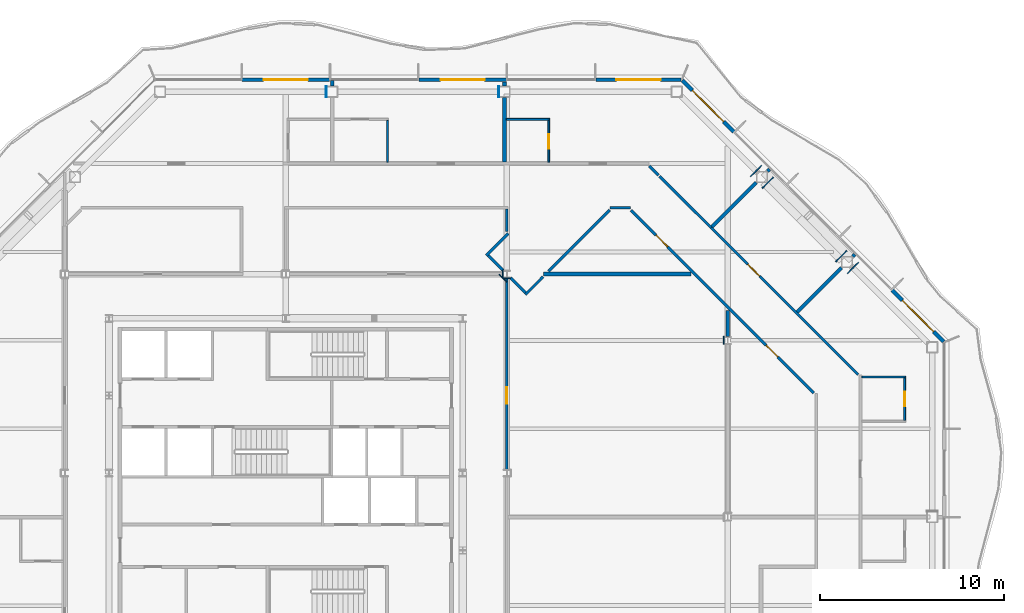
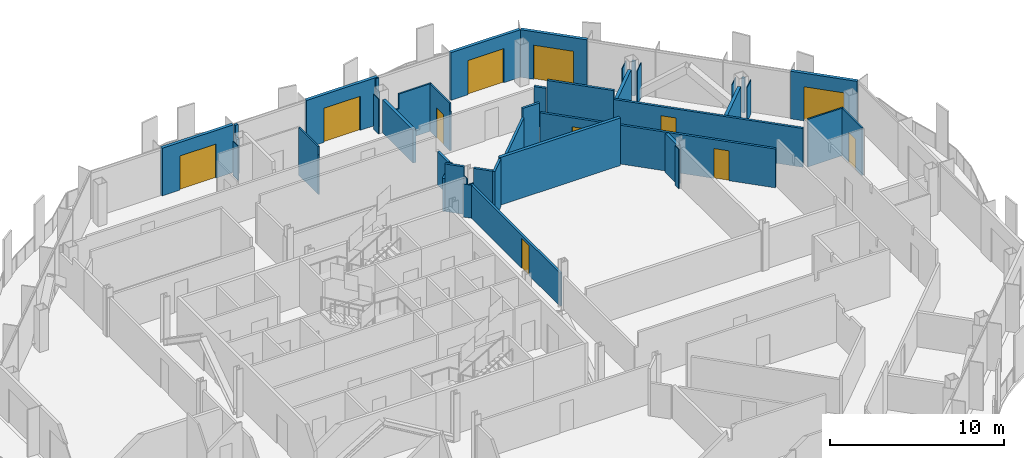
# One storey, part 12 of 19: 41 walls, 11 doors, 11 openings.
"""IFC4 building model written with IfcOpenShell, lengths in metres."""

from ifc_helpers import new_model, si_unit, direction, frame, frame_2d, origin, place, context, subcontext, project, spatial, polyline, rectangle, outline, extrude, material, layer, layer_set, type_object, element, fill, save


model = new_model("IFC4")

# Units and contexts
model_context = context("Model", 3, precision=1e-05, world=origin(), true_north=direction((0.0, 1.0)))
body_context = subcontext(model_context, "Body", "Model", "MODEL_VIEW")
ifc_project = project(units=[si_unit("LENGTHUNIT", "METRE"), si_unit("AREAUNIT", "SQUARE_METRE"), si_unit("VOLUMEUNIT", "CUBIC_METRE"), si_unit("PLANEANGLEUNIT", "RADIAN"), si_unit("MASSUNIT", "GRAM", prefix="KILO")], contexts=[model_context])

# Site, building, storey
site_placement = place(None, origin())
site = spatial("IfcSite", under=ifc_project, at=site_placement, CompositionType="ELEMENT")
building_placement = place(site_placement, origin())
building = spatial("IfcBuilding", under=site, at=building_placement, Name="Cairn Pilgrim Tower", CompositionType="ELEMENT")
storey_placement = place(building_placement, frame((0.0, 0.0, 201.0)))
storey = spatial("IfcBuildingStorey", under=building, at=storey_placement, Name="L51", CompositionType="ELEMENT", Elevation=201.0)

# Wall, opening, door
ifc_material_1 = material(Name="Bronze anodised aluminium insulated sandwich panel with mineral wool fill", Category="aluminium")
ifc_layer_1 = layer(ifc_material_1, 0.199951171875)
ifc_layer_set_1 = layer_set([ifc_layer_1], Name="BRONZE INFILL FRAME WALL 200")
wall_type_1 = type_object("IfcWallType", Name="BRONZE INFILL FRAME WALL 200", PredefinedType="NOTDEFINED", material=ifc_layer_set_1)
wall_1_placement = place(storey_placement, frame((42.921630859375, 9.524658203125, 0.0), z_axis=(0.0, 0.0, 1.0), x_axis=(-0.707075965734, 0.707137595296, 0.0)))
wall_1 = element("IfcWall", 1, at=wall_1_placement, inside=storey, type_object=wall_type_1, Name="Bronze infill frame wall IW-NE1", PredefinedType="NOTDEFINED", context=body_context, shape_type="SweptSolid", body=[
    extrude(rectangle(XDim=3.96142578125, YDim=0.199951171875, at=frame_2d((1.980712890625, 0.0))), origin(), (0.0, 0.0, 1.0), 3.35009765625),
])
opening_1_placement = place(wall_1_placement, frame((0.775390625, 0.0, 0.0)))
opening_1 = element("IfcOpeningElement", 2, at=opening_1_placement, cuts=wall_1, Name="Opening 5105B2", PredefinedType="OPENING", context=body_context, shape_type="SweptSolid", body=[
    extrude(rectangle(XDim=2.39990234375, YDim=2.39990234375, at=frame_2d((1.199951171875, 1.199951171875))), frame((0.0, 0.10986328125, 0.0), z_axis=(0.0, -1.0, 0.0), x_axis=(1.0, 0.0, 0.0)), (0.0, 0.0, 1.0), 0.219970703125),
])
ifc_material_2 = material(Name="Bronze anodised aluminium frame with tinted low-E glass", Category="aluminium")
door_type_1 = type_object("IfcDoorType", Name="BALCONY SLIDING DOOR 2400x2400", OperationType="DOUBLE_DOOR_SLIDING", PredefinedType="DOOR", material=ifc_material_2)
door_1_placement = place(opening_1_placement, origin())
door_1 = element("IfcDoor", 3, at=door_1_placement, inside=storey, type_object=door_type_1, Name="Balcony sliding door 5105B2", OperationType="SINGLE_SWING_LEFT", OverallHeight=2.39990234375, OverallWidth=2.39990234375, PredefinedType="DOOR", context=body_context, shape_type="SweptSolid", body=[
    extrude(rectangle(XDim=2.39990234375, YDim=2.39990234375, at=frame_2d((1.199951171875, 1.199951171875))), frame((0.0, 0.02490234375, 0.0), z_axis=(0.0, -1.0, 0.0), x_axis=(1.0, 0.0, 0.0)), (0.0, 0.0, 1.0), 0.050048828125),
])
fill(opening_1, door_1)

wall_2_placement = place(storey_placement, frame((31.52587890625, 20.92041015625, 0.0), z_axis=(0.0, 0.0, 1.0), x_axis=(-0.707106781187, 0.707106781187, 0.0)))
wall_2 = element("IfcWall", 4, at=wall_2_placement, inside=storey, type_object=wall_type_1, Name="Bronze infill frame wall IW-NE5", PredefinedType="NOTDEFINED", context=body_context, shape_type="SweptSolid", body=[
    extrude(rectangle(XDim=3.961669921875, YDim=0.199951171875, at=frame_2d((1.98095703125, 0.0))), origin(), (0.0, 0.0, 1.0), 3.35009765625),
])
opening_2_placement = place(wall_2_placement, frame((0.78564453125, 0.0, 0.0)))
opening_2 = element("IfcOpeningElement", 5, at=opening_2_placement, cuts=wall_2, Name="Opening 5107B", PredefinedType="OPENING", context=body_context, shape_type="SweptSolid", body=[
    extrude(rectangle(XDim=2.39990234375, YDim=2.39990234375, at=frame_2d((1.199951171875, 1.199951171875))), frame((0.0, 0.10986328125, 0.0), z_axis=(0.0, -1.0, 0.0), x_axis=(1.0, 0.0, 0.0)), (0.0, 0.0, 1.0), 0.219970703125),
])
door_2_placement = place(opening_2_placement, origin())
door_2 = element("IfcDoor", 6, at=door_2_placement, inside=storey, type_object=door_type_1, Name="Balcony sliding door 5107B", OperationType="SINGLE_SWING_LEFT", OverallHeight=2.39990234375, OverallWidth=2.39990234375, PredefinedType="DOOR", context=body_context, shape_type="SweptSolid", body=[
    extrude(rectangle(XDim=2.39990234375, YDim=2.39990234375, at=frame_2d((1.199951171875, 1.199951171875))), frame((0.0, 0.02490234375, 0.0), z_axis=(0.0, -1.0, 0.0), x_axis=(1.0, 0.0, 0.0)), (0.0, 0.0, 1.0), 0.050048828125),
])
fill(opening_2, door_2)

wall_3_placement = place(storey_placement, frame((28.656494140625, 23.75, 0.0), z_axis=(0.0, 0.0, 1.0), x_axis=(-1.0, 0.0, 0.0)))
wall_3 = element("IfcWall", 7, at=wall_3_placement, inside=storey, type_object=wall_type_1, Name="Bronze infill frame wall IW-N1", PredefinedType="NOTDEFINED", context=body_context, shape_type="SweptSolid", body=[
    extrude(rectangle(XDim=4.62646484375, YDim=0.199951171875, at=frame_2d((2.313232421875, 0.0))), origin(), (0.0, 0.0, 1.0), 3.35009765625),
])
opening_3_placement = place(wall_3_placement, frame((1.1083984375, 0.0, 0.0)))
opening_3 = element("IfcOpeningElement", 8, at=opening_3_placement, cuts=wall_3, Name="Opening 5107B2", PredefinedType="OPENING", context=body_context, shape_type="SweptSolid", body=[
    extrude(rectangle(XDim=2.39990234375, YDim=2.39990234375, at=frame_2d((1.199951171875, 1.199951171875))), frame((0.0, 0.10986328125, 0.0), z_axis=(0.0, -1.0, 0.0), x_axis=(1.0, 0.0, 0.0)), (0.0, 0.0, 1.0), 0.219970703125),
])
door_3_placement = place(opening_3_placement, origin())
door_3 = element("IfcDoor", 9, at=door_3_placement, inside=storey, type_object=door_type_1, Name="Balcony sliding door 5107B2", OperationType="SINGLE_SWING_LEFT", OverallHeight=2.39990234375, OverallWidth=2.39990234375, PredefinedType="DOOR", context=body_context, shape_type="SweptSolid", body=[
    extrude(rectangle(XDim=2.39990234375, YDim=2.39990234375, at=frame_2d((1.199951171875, 1.199951171875))), frame((0.0, 0.02490234375, 0.0), z_axis=(0.0, -1.0, 0.0), x_axis=(1.0, 0.0, 0.0)), (0.0, 0.0, 1.0), 0.050048828125),
])
fill(opening_3, door_3)

wall_4_placement = place(storey_placement, frame((19.169921875, 23.75, 0.0), z_axis=(0.0, 0.0, 1.0), x_axis=(-1.0, 0.0, 0.0)))
wall_4 = element("IfcWall", 10, at=wall_4_placement, inside=storey, type_object=wall_type_1, Name="Bronze infill frame wall IW-N3", PredefinedType="NOTDEFINED", context=body_context, shape_type="SweptSolid", body=[
    extrude(rectangle(XDim=4.739990234375, YDim=0.199951171875, at=frame_2d((2.3701171875, 0.0))), origin(), (0.0, 0.0, 1.0), 3.35009765625),
])
opening_4_placement = place(wall_4_placement, frame((1.17041015625, 0.0, 0.0)))
opening_4 = element("IfcOpeningElement", 11, at=opening_4_placement, cuts=wall_4, Name="Opening 5108B", PredefinedType="OPENING", context=body_context, shape_type="SweptSolid", body=[
    extrude(rectangle(XDim=2.39990234375, YDim=2.39990234375, at=frame_2d((1.199951171875, 1.199951171875))), frame((0.0, 0.10986328125, 0.0), z_axis=(0.0, -1.0, 0.0), x_axis=(1.0, 0.0, 0.0)), (0.0, 0.0, 1.0), 0.219970703125),
])
door_4_placement = place(opening_4_placement, origin())
door_4 = element("IfcDoor", 12, at=door_4_placement, inside=storey, type_object=door_type_1, Name="Balcony sliding door 5108B", OperationType="SINGLE_SWING_LEFT", OverallHeight=2.39990234375, OverallWidth=2.39990234375, PredefinedType="DOOR", context=body_context, shape_type="SweptSolid", body=[
    extrude(rectangle(XDim=2.39990234375, YDim=2.39990234375, at=frame_2d((1.199951171875, 1.199951171875))), frame((0.0, 0.02490234375, 0.0), z_axis=(0.0, -1.0, 0.0), x_axis=(1.0, 0.0, 0.0)), (0.0, 0.0, 1.0), 0.050048828125),
])
fill(opening_4, door_4)

wall_5_placement = place(storey_placement, frame((9.570068359375, 23.75, 0.0), z_axis=(0.0, 0.0, 1.0), x_axis=(-1.0, 0.0, 0.0)))
wall_5 = element("IfcWall", 13, at=wall_5_placement, inside=storey, type_object=wall_type_1, Name="Bronze infill frame wall IW-N5", PredefinedType="NOTDEFINED", context=body_context, shape_type="SweptSolid", body=[
    extrude(rectangle(XDim=4.739990234375, YDim=0.199951171875, at=frame_2d((2.3701171875, 0.0))), origin(), (0.0, 0.0, 1.0), 3.35009765625),
])
opening_5_placement = place(wall_5_placement, frame((1.169677734375, 0.0, 0.0)))
opening_5 = element("IfcOpeningElement", 14, at=opening_5_placement, cuts=wall_5, Name="Opening 5109B", PredefinedType="OPENING", context=body_context, shape_type="SweptSolid", body=[
    extrude(rectangle(XDim=2.39990234375, YDim=2.39990234375, at=frame_2d((1.199951171875, 1.199951171875))), frame((0.0, 0.10986328125, 0.0), z_axis=(0.0, -1.0, 0.0), x_axis=(1.0, 0.0, 0.0)), (0.0, 0.0, 1.0), 0.219970703125),
])
door_5_placement = place(opening_5_placement, origin())
door_5 = element("IfcDoor", 15, at=door_5_placement, inside=storey, type_object=door_type_1, Name="Balcony sliding door 5109B", OperationType="SINGLE_SWING_LEFT", OverallHeight=2.39990234375, OverallWidth=2.39990234375, PredefinedType="DOOR", context=body_context, shape_type="SweptSolid", body=[
    extrude(rectangle(XDim=2.39990234375, YDim=2.39990234375, at=frame_2d((1.199951171875, 1.199951171875))), frame((0.0, 0.02490234375, 0.0), z_axis=(0.0, -1.0, 0.0), x_axis=(1.0, 0.0, 0.0)), (0.0, 0.0, 1.0), 0.050048828125),
])
fill(opening_5, door_5)

ifc_material_3 = material(Name="Gypsum partition")
ifc_layer_2 = layer(ifc_material_3, 0.10009765625)
ifc_layer_set_2 = layer_set([ifc_layer_2], Name="PARTITION 100 DRYWALL")
wall_type_2 = type_object("IfcWallType", Name="PARTITION 100 DRYWALL", PredefinedType="PARTITIONING", material=ifc_layer_set_2)
wall_6_placement = place(storey_placement, frame((40.800048828125, 5.261962890625, 0.0), z_axis=(0.0, 0.0, 1.0), x_axis=(0.0, 1.0, 0.0)))
wall_6 = element("IfcWall", 16, at=wall_6_placement, inside=storey, type_object=wall_type_2, Name="PARTITION W062", PredefinedType="PARTITIONING", context=body_context, shape_type="SweptSolid", body=[
    extrude(rectangle(XDim=2.300048828125, YDim=0.10009765625, at=frame_2d((1.14990234375, 0.0))), origin(), (0.0, 0.0, 1.0), 3.35009765625),
])
opening_6_placement = place(wall_6_placement, frame((0.75, 0.0, 0.0)))
opening_6 = element("IfcOpeningElement", 17, at=opening_6_placement, cuts=wall_6, Name="Opening 5105A", PredefinedType="OPENING", context=body_context, shape_type="SweptSolid", body=[
    extrude(rectangle(XDim=0.800048828125, YDim=2.10009765625, at=frame_2d((0.39990234375, 1.050048828125))), frame((0.0, 0.06005859375, 0.0), z_axis=(0.0, -1.0, 0.0), x_axis=(1.0, 0.0, 0.0)), (0.0, 0.0, 1.0), 0.1201171875),
])
ifc_material_4 = material(Name="Timber door leaf", Category="wood")
door_type_2 = type_object("IfcDoorType", Name="WC DOOR 800x2100", OperationType="NOTDEFINED", PredefinedType="DOOR", material=ifc_material_4)
door_6_placement = place(opening_6_placement, frame((0.800048828125, 0.0, 0.0), z_axis=(0.0, 0.0, 1.0), x_axis=(-1.0, 0.0, 0.0)))
door_6 = element("IfcDoor", 18, at=door_6_placement, inside=storey, type_object=door_type_2, Name="DOOR 5105A", OperationType="SINGLE_SWING_LEFT", OverallHeight=2.10009765625, OverallWidth=0.800048828125, PredefinedType="DOOR", context=body_context, shape_type="SweptSolid", body=[
    extrude(rectangle(XDim=0.800048828125, YDim=2.10009765625, at=frame_2d((0.39990234375, 1.050048828125))), frame((0.0, 0.02490234375, 0.0), z_axis=(0.0, -1.0, 0.0), x_axis=(1.0, 0.0, 0.0)), (0.0, 0.0, 1.0), 0.050048828125),
])
fill(opening_6, door_6)

# Walls
wall_7_placement = place(storey_placement, frame((38.47509765625, 7.612060546875, 0.0), z_axis=(0.0, 0.0, 1.0), x_axis=(1.0, 0.0, 0.0)))
element("IfcWall", 19, at=wall_7_placement, inside=storey, type_object=wall_type_2, Name="PARTITION W064", PredefinedType="PARTITIONING", context=body_context, shape_type="SweptSolid", body=[
    extrude(rectangle(XDim=2.375, YDim=0.10009765625, at=frame_2d((1.1875, 0.0))), origin(), (0.0, 0.0, 1.0), 3.35009765625),
])
wall_8_placement = place(storey_placement, frame((12.72412109375, 19.27490234375, 0.0), z_axis=(0.0, 0.0, 1.0), x_axis=(0.0, 1.0, 0.0)))
element("IfcWall", 20, at=wall_8_placement, inside=storey, type_object=wall_type_2, Name="PARTITION W093", PredefinedType="PARTITIONING", context=body_context, shape_type="SweptSolid", body=[
    extrude(outline(polyline([(0.0, 0.0), (2.275146484375, 0.0), (2.27490234375, 3.35009765625), (0.030029296875, 3.35009765625), (0.028076171875, 2.780029296875), (0.0, 2.780029296875), (0.0, 0.0)])), frame((0.0, 0.050048828125, 0.0), z_axis=(0.0, -1.0, 0.0), x_axis=(1.0, 0.0, 0.0)), (0.0, 0.0, 1.0), 0.10009765625),
])

# Wall, opening, door
wall_9_placement = place(storey_placement, frame((21.47607421875, 19.27490234375, 0.0), z_axis=(0.0, 0.0, 1.0), x_axis=(0.0, 1.0, 0.0)))
wall_9 = element("IfcWall", 21, at=wall_9_placement, inside=storey, type_object=wall_type_2, Name="PARTITION W095", PredefinedType="PARTITIONING", context=body_context, shape_type="SweptSolid", body=[
    extrude(outline(polyline([(0.0, 0.0), (2.275146484375, 0.0), (2.27490234375, 3.35009765625), (0.030029296875, 3.35009765625), (0.028076171875, 2.780029296875), (0.0, 2.780029296875), (0.0, 0.0)])), frame((0.0, 0.050048828125, 0.0), z_axis=(0.0, -1.0, 0.0), x_axis=(1.0, 0.0, 0.0)), (0.0, 0.0, 1.0), 0.10009765625),
])
opening_7_placement = place(wall_9_placement, frame((0.72509765625, 0.0, 0.0)))
opening_7 = element("IfcOpeningElement", 22, at=opening_7_placement, cuts=wall_9, Name="Opening 5107A", PredefinedType="OPENING", context=body_context, shape_type="SweptSolid", body=[
    extrude(rectangle(XDim=0.800048828125, YDim=2.10009765625, at=frame_2d((0.39990234375, 1.050048828125))), frame((0.0, 0.06005859375, 0.0), z_axis=(0.0, -1.0, 0.0), x_axis=(1.0, 0.0, 0.0)), (0.0, 0.0, 1.0), 0.1201171875),
])
door_7_placement = place(opening_7_placement, frame((0.800048828125, 0.0, 0.0), z_axis=(0.0, 0.0, 1.0), x_axis=(-1.0, 0.0, 0.0)))
door_7 = element("IfcDoor", 23, at=door_7_placement, inside=storey, type_object=door_type_2, Name="DOOR 5107A", OperationType="SINGLE_SWING_LEFT", OverallHeight=2.10009765625, OverallWidth=0.800048828125, PredefinedType="DOOR", context=body_context, shape_type="SweptSolid", body=[
    extrude(rectangle(XDim=0.800048828125, YDim=2.10009765625, at=frame_2d((0.39990234375, 1.050048828125))), frame((0.0, 0.02490234375, 0.0), z_axis=(0.0, -1.0, 0.0), x_axis=(1.0, 0.0, 0.0)), (0.0, 0.0, 1.0), 0.050048828125),
])
fill(opening_7, door_7)

# Wall
wall_10_placement = place(storey_placement, frame((19.176025390625, 21.60009765625, 0.0), z_axis=(0.0, 0.0, 1.0), x_axis=(1.0, 0.0, 0.0)))
element("IfcWall", 24, at=wall_10_placement, inside=storey, type_object=wall_type_2, Name="PARTITION W098", PredefinedType="PARTITIONING", context=body_context, shape_type="SweptSolid", body=[
    extrude(outline(polyline([(0.0, 0.0), (2.349853515625, 0.0), (2.35009765625, 3.35009765625), (0.175048828125, 3.35009765625), (0.173095703125, 2.322021484375), (0.0, 2.322021484375), (0.0, 0.0)])), frame((0.0, 0.050048828125, 0.0), z_axis=(0.0, -1.0, 0.0), x_axis=(1.0, 0.0, 0.0)), (0.0, 0.0, 1.0), 0.10009765625),
])

# Wall, opening, door
ifc_layer_3 = layer(ifc_material_3, 0.14990234375)
ifc_layer_set_3 = layer_set([ifc_layer_3], Name="PARTITION 150 DRYWALL EI 60")
wall_type_3 = type_object("IfcWallType", Name="PARTITION 150 DRYWALL EI 60", PredefinedType="PARTITIONING", material=ifc_layer_set_3)
wall_11_placement = place(storey_placement, frame((19.199951171875, 2.596435546875, 0.0), z_axis=(0.0, 0.0, 1.0), x_axis=(0.0, 1.0, 0.0)))
wall_11 = element("IfcWall", 25, at=wall_11_placement, inside=storey, type_object=wall_type_3, Name="PARTITION W060", PredefinedType="PARTITIONING", context=body_context, shape_type="SweptSolid", body=[
    extrude(rectangle(XDim=10.406982421875, YDim=0.14990234375, at=frame_2d((5.20361328125, 0.0))), origin(), (0.0, 0.0, 1.0), 2.322021484375),
])
opening_8_placement = place(wall_11_placement, frame((3.553466796875, 0.0, 0.0)))
opening_8 = element("IfcOpeningElement", 26, at=opening_8_placement, cuts=wall_11, Name="Opening 5120", PredefinedType="OPENING", context=body_context, shape_type="SweptSolid", body=[
    extrude(rectangle(XDim=0.89990234375, YDim=2.10009765625, at=frame_2d((0.449951171875, 1.050048828125))), frame((0.0, 0.0849609375, 0.0), z_axis=(0.0, -1.0, 0.0), x_axis=(1.0, 0.0, 0.0)), (0.0, 0.0, 1.0), 0.169921875),
])
door_type_3 = type_object("IfcDoorType", Name="SERVICE DOOR 900x2100 FD30S", OperationType="NOTDEFINED", PredefinedType="DOOR", material=ifc_material_4)
door_8_placement = place(opening_8_placement, frame((0.89990234375, 0.0, 0.0), z_axis=(0.0, 0.0, 1.0), x_axis=(-1.0, 0.0, 0.0)))
door_8 = element("IfcDoor", 27, at=door_8_placement, inside=storey, type_object=door_type_3, Name="DOOR 5120", OperationType="SINGLE_SWING_LEFT", OverallHeight=2.10009765625, OverallWidth=0.89990234375, PredefinedType="DOOR", context=body_context, shape_type="SweptSolid", body=[
    extrude(rectangle(XDim=0.89990234375, YDim=2.10009765625, at=frame_2d((0.449951171875, 1.050048828125))), frame((0.0, 0.02490234375, 0.0), z_axis=(0.0, -1.0, 0.0), x_axis=(1.0, 0.0, 0.0)), (0.0, 0.0, 1.0), 0.050048828125),
])
fill(opening_8, door_8)

# Wall, openings, doors
wall_12_placement = place(storey_placement, frame((35.8720703125, 6.74609375, 0.0), z_axis=(0.0, 0.0, 1.0), x_axis=(-0.707106781187, 0.707106781187, 0.0)))
wall_12 = element("IfcWall", 28, at=wall_12_placement, inside=storey, type_object=wall_type_3, Name="PARTITION W063", PredefinedType="PARTITIONING", context=body_context, shape_type="SweptSolid", body=[
    extrude(rectangle(XDim=14.03759765625, YDim=0.14990234375, at=frame_2d((7.018798828125, 0.0))), origin(), (0.0, 0.0, 1.0), 2.72998046875),
])
opening_9_placement = place(wall_12_placement, frame((2.762939453125, 0.0, 0.0)))
opening_9 = element("IfcOpeningElement", 29, at=opening_9_placement, cuts=wall_12, Name="Opening 5119", PredefinedType="OPENING", context=body_context, shape_type="SweptSolid", body=[
    extrude(rectangle(XDim=0.89990234375, YDim=2.10009765625, at=frame_2d((0.449951171875, 1.050048828125))), frame((0.0, 0.0849609375, 0.0), z_axis=(0.0, -1.0, 0.0), x_axis=(1.0, 0.0, 0.0)), (0.0, 0.0, 1.0), 0.169921875),
])
opening_10_placement = place(wall_12_placement, frame((11.223388671875, 0.0, 0.0)))
opening_10 = element("IfcOpeningElement", 30, at=opening_10_placement, cuts=wall_12, Name="Opening 5121", PredefinedType="OPENING", context=body_context, shape_type="SweptSolid", body=[
    extrude(rectangle(XDim=0.89990234375, YDim=2.10009765625, at=frame_2d((0.449951171875, 1.050048828125))), frame((0.0, 0.0849609375, 0.0), z_axis=(0.0, -1.0, 0.0), x_axis=(1.0, 0.0, 0.0)), (0.0, 0.0, 1.0), 0.169921875),
])
door_9_placement = place(opening_9_placement, origin())
door_9 = element("IfcDoor", 31, at=door_9_placement, inside=storey, type_object=door_type_3, Name="DOOR 5119", OperationType="SINGLE_SWING_RIGHT", OverallHeight=2.10009765625, OverallWidth=0.89990234375, PredefinedType="DOOR", context=body_context, shape_type="SweptSolid", body=[
    extrude(rectangle(XDim=0.89990234375, YDim=2.10009765625, at=frame_2d((0.449951171875, 1.050048828125))), frame((0.0, 0.02490234375, 0.0), z_axis=(0.0, -1.0, 0.0), x_axis=(1.0, 0.0, 0.0)), (0.0, 0.0, 1.0), 0.050048828125),
])
fill(opening_9, door_9)
door_10_placement = place(opening_10_placement, origin())
door_10 = element("IfcDoor", 32, at=door_10_placement, inside=storey, type_object=door_type_3, Name="DOOR 5121", OperationType="SINGLE_SWING_LEFT", OverallHeight=2.10009765625, OverallWidth=0.89990234375, PredefinedType="DOOR", context=body_context, shape_type="SweptSolid", body=[
    extrude(rectangle(XDim=0.89990234375, YDim=2.10009765625, at=frame_2d((0.449951171875, 1.050048828125))), frame((0.0, 0.02490234375, 0.0), z_axis=(0.0, -1.0, 0.0), x_axis=(1.0, 0.0, 0.0)), (0.0, 0.0, 1.0), 0.050048828125),
])
fill(opening_10, door_10)

# Wall, opening, door
wall_13_placement = place(storey_placement, frame((38.27197265625, 7.739990234375, 0.0), z_axis=(0.0, 0.0, 1.0), x_axis=(-0.707106781187, 0.707106781187, 0.0)))
wall_13 = element("IfcWall", 33, at=wall_13_placement, inside=storey, type_object=wall_type_3, Name="PARTITION W065", PredefinedType="PARTITIONING", context=body_context, shape_type="SweptSolid", body=[
    extrude(rectangle(XDim=11.28271484375, YDim=0.14990234375, at=frame_2d((5.641357421875, 0.0))), origin(), (0.0, 0.0, 1.0), 2.72998046875),
])
opening_11_placement = place(wall_13_placement, frame((7.5625, 0.0, 0.0)))
opening_11 = element("IfcOpeningElement", 34, at=opening_11_placement, cuts=wall_13, Name="Opening 5106", PredefinedType="OPENING", context=body_context, shape_type="SweptSolid", body=[
    extrude(rectangle(XDim=0.89990234375, YDim=2.10009765625, at=frame_2d((0.449951171875, 1.050048828125))), frame((0.0, 0.0849609375, 0.0), z_axis=(0.0, -1.0, 0.0), x_axis=(1.0, 0.0, 0.0)), (0.0, 0.0, 1.0), 0.169921875),
])
door_11_placement = place(opening_11_placement, frame((0.89990234375, 0.0, 0.0), z_axis=(0.0, 0.0, 1.0), x_axis=(-1.0, 0.0, 0.0)))
door_11 = element("IfcDoor", 35, at=door_11_placement, inside=storey, type_object=door_type_3, Name="DOOR 5106", OperationType="SINGLE_SWING_LEFT", OverallHeight=2.10009765625, OverallWidth=0.89990234375, PredefinedType="DOOR", context=body_context, shape_type="SweptSolid", body=[
    extrude(rectangle(XDim=0.89990234375, YDim=2.10009765625, at=frame_2d((0.449951171875, 1.050048828125))), frame((0.0, 0.02490234375, 0.0), z_axis=(0.0, -1.0, 0.0), x_axis=(1.0, 0.0, 0.0)), (0.0, 0.0, 1.0), 0.050048828125),
])
fill(opening_11, door_11)

# Walls
wall_14_placement = place(storey_placement, frame((20.2080078125, 12.0859375, 0.0), z_axis=(0.0, 0.0, 1.0), x_axis=(0.706747296365, 0.707466083343, 0.0)))
element("IfcWall", 36, at=wall_14_placement, inside=storey, type_object=wall_type_3, Name="PARTITION W068", PredefinedType="PARTITIONING", context=body_context, shape_type="SweptSolid", body=[
    extrude(rectangle(XDim=1.358642578125, YDim=0.14990234375, at=frame_2d((0.67919921875, 0.0))), origin(), (0.0, 0.0, 1.0), 3.35009765625),
])
for number, where, z_axis, x_axis, name in (
    (37, (20.2080078125, 12.192138671875, 0.0), (0.0, 0.0, 1.0), (-0.70721334539, 0.707000200921, 0.0), "PARTITION W069"),
    (38, (19.001953125, 13.39794921875, 0.0), (0.0, 0.0, 1.0), (-0.707000200921, 0.70721334539, 0.0), "PARTITION W076"),
):
    element("IfcWall", number, at=place(storey_placement, frame(where, z_axis=z_axis, x_axis=x_axis)), inside=storey, type_object=wall_type_3, Name=name, PredefinedType="PARTITIONING", context=body_context, shape_type="SweptSolid", body=[
        extrude(rectangle(XDim=1.1455078125, YDim=0.14990234375, at=frame_2d((0.57275390625, 0.0))), origin(), (0.0, 0.0, 1.0), 3.35009765625),
    ])
wall_15_placement = place(storey_placement, frame((21.47412109375, 13.35302734375, 0.0), z_axis=(0.0, 0.0, 1.0), x_axis=(0.707080773618, 0.707132787799, 0.0)))
element("IfcWall", 39, at=wall_15_placement, inside=storey, type_object=wall_type_3, Name="PARTITION W077", PredefinedType="PARTITIONING", context=body_context, shape_type="SweptSolid", body=[
    extrude(rectangle(XDim=4.69384765625, YDim=0.14990234375, at=frame_2d((2.346923828125, 0.0))), origin(), (0.0, 0.0, 1.0), 2.780029296875),
])
wall_16_placement = place(storey_placement, frame((18.0859375, 14.2080078125, 0.0), z_axis=(0.0, 0.0, 1.0), x_axis=(0.70739723372, 0.706816209298, 0.0)))
element("IfcWall", 40, at=wall_16_placement, inside=storey, type_object=wall_type_3, Name="PARTITION W078", PredefinedType="PARTITIONING", context=body_context, shape_type="SweptSolid", body=[
    extrude(rectangle(XDim=1.6806640625, YDim=0.14990234375, at=frame_2d((0.84033203125, 0.0))), origin(), (0.0, 0.0, 1.0), 2.322021484375),
])
wall_17_placement = place(storey_placement, frame((19.199951171875, 15.501953125, 0.0), z_axis=(0.0, 0.0, 1.0), x_axis=(0.0, 1.0, 0.0)))
element("IfcWall", 41, at=wall_17_placement, inside=storey, type_object=wall_type_3, Name="PARTITION W080", PredefinedType="PARTITIONING", context=body_context, shape_type="SweptSolid", body=[
    extrude(rectangle(XDim=1.22314453125, YDim=0.14990234375, at=frame_2d((0.611572265625, 0.0))), origin(), (0.0, 0.0, 1.0), 2.322021484375),
])
wall_18_placement = place(storey_placement, frame((30.2939453125, 15.718017578125, 0.0), z_axis=(0.0, 0.0, 1.0), x_axis=(-0.707229938335, 0.706983602584, 0.0)))
element("IfcWall", 42, at=wall_18_placement, inside=storey, type_object=wall_type_3, Name="PARTITION W081", PredefinedType="PARTITIONING", context=body_context, shape_type="SweptSolid", body=[
    extrude(rectangle(XDim=3.96435546875, YDim=0.14990234375, at=frame_2d((1.982177734375, 0.0))), origin(), (0.0, 0.0, 1.0), 3.35009765625),
])
wall_19_placement = place(storey_placement, frame((24.81494140625, 16.800048828125, 0.0), z_axis=(0.0, 0.0, 1.0), x_axis=(1.0, 0.0, 0.0)))
element("IfcWall", 43, at=wall_19_placement, inside=storey, type_object=wall_type_3, Name="PARTITION W087", PredefinedType="PARTITIONING", context=body_context, shape_type="SweptSolid", body=[
    extrude(rectangle(XDim=1.109130859375, YDim=0.14990234375, at=frame_2d((0.5546875, 0.0))), origin(), (0.0, 0.0, 1.0), 3.35009765625),
])
wall_20_placement = place(storey_placement, frame((27.4365234375, 18.572998046875, 0.0), z_axis=(0.0, 0.0, 1.0), x_axis=(-0.705718940673, 0.708491903112, 0.0)))
element("IfcWall", 44, at=wall_20_placement, inside=storey, type_object=wall_type_3, Name="PARTITION W088", PredefinedType="PARTITIONING", context=body_context, shape_type="SweptSolid", body=[
    extrude(rectangle(XDim=0.704345703125, YDim=0.14990234375, at=frame_2d((0.35205078125, 0.0))), origin(), (0.0, 0.0, 1.0), 2.780029296875),
])
ifc_layer_4 = layer(ifc_material_3, 0.050048828125)
ifc_layer_set_4 = layer_set([ifc_layer_4], Name="PARTITION 50 DRYWALL EI 60")
wall_type_4 = type_object("IfcWallType", Name="PARTITION 50 DRYWALL EI 60", PredefinedType="PARTITIONING", material=ifc_layer_set_4)
wall_21_placement = place(storey_placement, frame((18.9755859375, 13.00341796875, 0.0), z_axis=(0.0, 0.0, 1.0), x_axis=(0.0, 1.0, 0.0)))
element("IfcWall", 45, at=wall_21_placement, inside=storey, type_object=wall_type_4, Name="COLUMN CASING WC21", PredefinedType="PARTITIONING", context=body_context, shape_type="SweptSolid", body=[
    extrude(rectangle(XDim=0.39306640625, YDim=0.050048828125, at=frame_2d((0.196533203125, 0.0))), origin(), (0.0, 0.0, 1.0), 2.72998046875),
])
wall_22_placement = place(storey_placement, frame((30.970458984375, 9.387451171875, 0.0), z_axis=(0.0, 0.0, 1.0), x_axis=(0.0, 1.0, 0.0)))
element("IfcWall", 46, at=wall_22_placement, inside=storey, type_object=wall_type_4, Name="COLUMN CASING WC26", PredefinedType="PARTITIONING", context=body_context, shape_type="SweptSolid", body=[
    extrude(rectangle(XDim=0.425048828125, YDim=0.050048828125, at=frame_2d((0.21240234375, 0.0))), origin(), (0.0, 0.0, 1.0), 2.780029296875),
])
for number, where, z_axis, x_axis, name in (
    (47, (37.05810546875, 13.869140625, 0.0), (0.0, 0.0, 1.0), (0.706962899457, 0.707250633645, 0.0), "COLUMN CASING WC27"),
    (48, (37.693359375, 13.23388671875, 0.0), (0.0, 0.0, 1.0), (0.707250633645, 0.706962899457, 0.0), "COLUMN CASING WC28"),
):
    element("IfcWall", number, at=place(storey_placement, frame(where, z_axis=z_axis, x_axis=x_axis)), inside=storey, type_object=wall_type_4, Name=name, PredefinedType="PARTITIONING", context=body_context, shape_type="SweptSolid", body=[
        extrude(rectangle(XDim=0.848388671875, YDim=0.050048828125, at=frame_2d((0.42431640625, 0.0))), origin(), (0.0, 0.0, 1.0), 2.429931640625),
    ])
wall_23_placement = place(storey_placement, frame((19.182373046875, 12.786376953125, 0.0), z_axis=(0.0, 0.0, 1.0), x_axis=(-0.707106781187, 0.707106781187, 0.0)))
element("IfcWall", 49, at=wall_23_placement, inside=storey, type_object=wall_type_4, Name="COLUMN CASING WC29", PredefinedType="PARTITIONING", context=body_context, shape_type="SweptSolid", body=[
    extrude(rectangle(XDim=0.56005859375, YDim=0.050048828125, at=frame_2d((0.280029296875, 0.0))), origin(), (0.0, 0.0, 1.0), 2.322021484375),
])
wall_24_placement = place(storey_placement, frame((19.00048828125, 12.978515625, 0.0), z_axis=(0.0, 0.0, 1.0), x_axis=(1.0, 0.0, 0.0)))
element("IfcWall", 50, at=wall_24_placement, inside=storey, type_object=wall_type_4, Name="COLUMN CASING WC32", PredefinedType="PARTITIONING", context=body_context, shape_type="SweptSolid", body=[
    extrude(rectangle(XDim=0.39892578125, YDim=0.050048828125, at=frame_2d((0.199462890625, 0.0))), origin(), (0.0, 0.0, 1.0), 2.322021484375),
])
wall_25_placement = place(storey_placement, frame((32.433837890625, 18.493408203125, 0.0), z_axis=(0.0, 0.0, 1.0), x_axis=(0.706962899457, 0.707250633645, 0.0)))
element("IfcWall", 51, at=wall_25_placement, inside=storey, type_object=wall_type_4, Name="COLUMN CASING WC34", PredefinedType="PARTITIONING", context=body_context, shape_type="SweptSolid", body=[
    extrude(rectangle(XDim=0.848388671875, YDim=0.050048828125, at=frame_2d((0.42431640625, 0.0))), origin(), (0.0, 0.0, 1.0), 2.429931640625),
])
wall_26_placement = place(storey_placement, frame((33.069091796875, 17.85791015625, 0.0), z_axis=(0.0, 0.0, 1.0), x_axis=(0.707106781187, 0.707106781187, 0.0)))
element("IfcWall", 52, at=wall_26_placement, inside=storey, type_object=wall_type_4, Name="COLUMN CASING WC35", PredefinedType="PARTITIONING", context=body_context, shape_type="SweptSolid", body=[
    extrude(rectangle(XDim=0.8486328125, YDim=0.050048828125, at=frame_2d((0.42431640625, 0.0))), origin(), (0.0, 0.0, 1.0), 2.429931640625),
])
for number, where, z_axis, x_axis, name in (
    (53, (9.3994140625, 22.800048828125, 0.0), (0.0, 0.0, 1.0), (0.0, 1.0, 0.0), "COLUMN CASING WC36"),
    (54, (18.750732421875, 22.800048828125, 0.0), (0.0, 0.0, 1.0), (0.0, 1.0, 0.0), "COLUMN CASING WC37"),
):
    element("IfcWall", number, at=place(storey_placement, frame(where, z_axis=z_axis, x_axis=x_axis)), inside=storey, type_object=wall_type_4, Name=name, PredefinedType="PARTITIONING", context=body_context, shape_type="SweptSolid", body=[
        extrude(rectangle(XDim=0.599853515625, YDim=0.050048828125, at=frame_2d((0.2998046875, 0.0))), origin(), (0.0, 0.0, 1.0), 2.429931640625),
    ])
ifc_layer_5 = layer(ifc_material_3, 0.199951171875)
ifc_layer_set_5 = layer_set([ifc_layer_5], Name="SHAFT WALL 200 GYPSUM EI 60")
wall_type_5 = type_object("IfcWallType", Name="SHAFT WALL 200 GYPSUM EI 60", PredefinedType="PARTITIONING", material=ifc_layer_set_5)
wall_27_placement = place(storey_placement, frame((31.199951171875, 9.8125, 0.0), z_axis=(0.0, 0.0, 1.0), x_axis=(0.0, 1.0, 0.0)))
element("IfcWall", 55, at=wall_27_placement, inside=storey, type_object=wall_type_5, Name="PARTITION W066", PredefinedType="PARTITIONING", context=body_context, shape_type="SweptSolid", body=[
    extrude(rectangle(XDim=1.3994140625, YDim=0.199951171875, at=frame_2d((0.69970703125, 0.0))), origin(), (0.0, 0.0, 1.0), 2.72998046875),
])
wall_28_placement = place(storey_placement, frame((34.970947265625, 11.14697265625, 0.0), z_axis=(0.0, 0.0, 1.0), x_axis=(0.707106781187, 0.707106781187, 0.0)))
element("IfcWall", 56, at=wall_28_placement, inside=storey, type_object=wall_type_5, Name="PARTITION W067", PredefinedType="PARTITIONING", context=body_context, shape_type="SweptSolid", body=[
    extrude(rectangle(XDim=3.400634765625, YDim=0.199951171875, at=frame_2d((1.7001953125, 0.0))), origin(), (0.0, 0.0, 1.0), 2.429931640625),
])
wall_29_placement = place(storey_placement, frame((21.20458984375, 13.199951171875, 0.0), z_axis=(0.0, 0.0, 1.0), x_axis=(1.0, 0.0, 0.0)))
element("IfcWall", 57, at=wall_29_placement, inside=storey, type_object=wall_type_5, Name="PARTITION W072", PredefinedType="PARTITIONING", context=body_context, shape_type="SweptSolid", body=[
    extrude(rectangle(XDim=8.00732421875, YDim=0.199951171875, at=frame_2d((4.003662109375, 0.0))), origin(), (0.0, 0.0, 1.0), 3.35009765625),
])
wall_30_placement = place(storey_placement, frame((37.9755859375, 14.151611328125, 0.0), z_axis=(0.0, 0.0, 1.0), x_axis=(0.707106781187, 0.707106781187, 0.0)))
element("IfcWall", 58, at=wall_30_placement, inside=storey, type_object=wall_type_5, Name="PARTITION W079", PredefinedType="PARTITIONING", context=body_context, shape_type="SweptSolid", body=[
    extrude(rectangle(XDim=0.165771484375, YDim=0.199951171875, at=frame_2d((0.0830078125, 0.0))), origin(), (0.0, 0.0, 1.0), 2.429931640625),
])
wall_31_placement = place(storey_placement, frame((30.346923828125, 15.77099609375, 0.0), z_axis=(0.0, 0.0, 1.0), x_axis=(0.707142675843, 0.707070884708, 0.0)))
element("IfcWall", 59, at=wall_31_placement, inside=storey, type_object=wall_type_5, Name="PARTITION W083", PredefinedType="PARTITIONING", context=body_context, shape_type="SweptSolid", body=[
    extrude(rectangle(XDim=3.400634765625, YDim=0.199951171875, at=frame_2d((1.7001953125, 0.0))), origin(), (0.0, 0.0, 1.0), 2.429931640625),
])
wall_32_placement = place(storey_placement, frame((33.3515625, 18.775634765625, 0.0), z_axis=(0.0, 0.0, 1.0), x_axis=(0.707106781187, 0.707106781187, 0.0)))
element("IfcWall", 60, at=wall_32_placement, inside=storey, type_object=wall_type_5, Name="PARTITION W089", PredefinedType="PARTITIONING", context=body_context, shape_type="SweptSolid", body=[
    extrude(rectangle(XDim=0.165771484375, YDim=0.199951171875, at=frame_2d((0.0830078125, 0.0))), origin(), (0.0, 0.0, 1.0), 2.429931640625),
])
wall_33_placement = place(storey_placement, frame((19.075927734375, 19.27490234375, 0.0), z_axis=(0.0, 0.0, 1.0), x_axis=(0.0, 1.0, 0.0)))
element("IfcWall", 61, at=wall_33_placement, inside=storey, type_object=wall_type_5, Name="PARTITION W094", PredefinedType="PARTITIONING", context=body_context, shape_type="SweptSolid", body=[
    extrude(rectangle(XDim=3.525146484375, YDim=0.199951171875, at=frame_2d((1.7626953125, 0.0))), origin(), (0.0, 0.0, 1.0), 2.322021484375),
])
wall_34_placement = place(storey_placement, frame((9.72412109375, 23.39990234375, 0.0), z_axis=(0.0, 0.0, 1.0), x_axis=(0.0, 1.0, 0.0)))
element("IfcWall", 62, at=wall_34_placement, inside=storey, type_object=wall_type_5, Name="PARTITION W099", PredefinedType="PARTITIONING", context=body_context, shape_type="SweptSolid", body=[
    extrude(outline(polyline([(0.0, 0.0), (0.302978515625, 0.0), (0.302978515625, 3.35009765625), (0.14990234375, 3.35009765625), (0.14794921875, 2.429931640625), (0.0, 2.429931640625), (0.0, 0.0)])), frame((0.0, 0.10009765625, 0.0), z_axis=(0.0, -1.0, 0.0), x_axis=(1.0, 0.0, 0.0)), (0.0, 0.0, 1.0), 0.199951171875),
])
wall_35_placement = place(storey_placement, frame((19.075927734375, 23.39990234375, 0.0), z_axis=(0.0, 0.0, 1.0), x_axis=(0.0, 1.0, 0.0)))
element("IfcWall", 63, at=wall_35_placement, inside=storey, type_object=wall_type_5, Name="PARTITION W100", PredefinedType="PARTITIONING", context=body_context, shape_type="SweptSolid", body=[
    extrude(outline(polyline([(0.0, 0.0), (0.22021484375, 0.0), (0.219970703125, 3.35009765625), (0.14990234375, 3.35009765625), (0.14794921875, 2.429931640625), (0.0, 2.429931640625), (0.0, 0.0)])), frame((0.0, 0.10009765625, 0.0), z_axis=(0.0, -1.0, 0.0), x_axis=(1.0, 0.0, 0.0)), (0.0, 0.0, 1.0), 0.199951171875),
])

save(model, "model.ifc")
